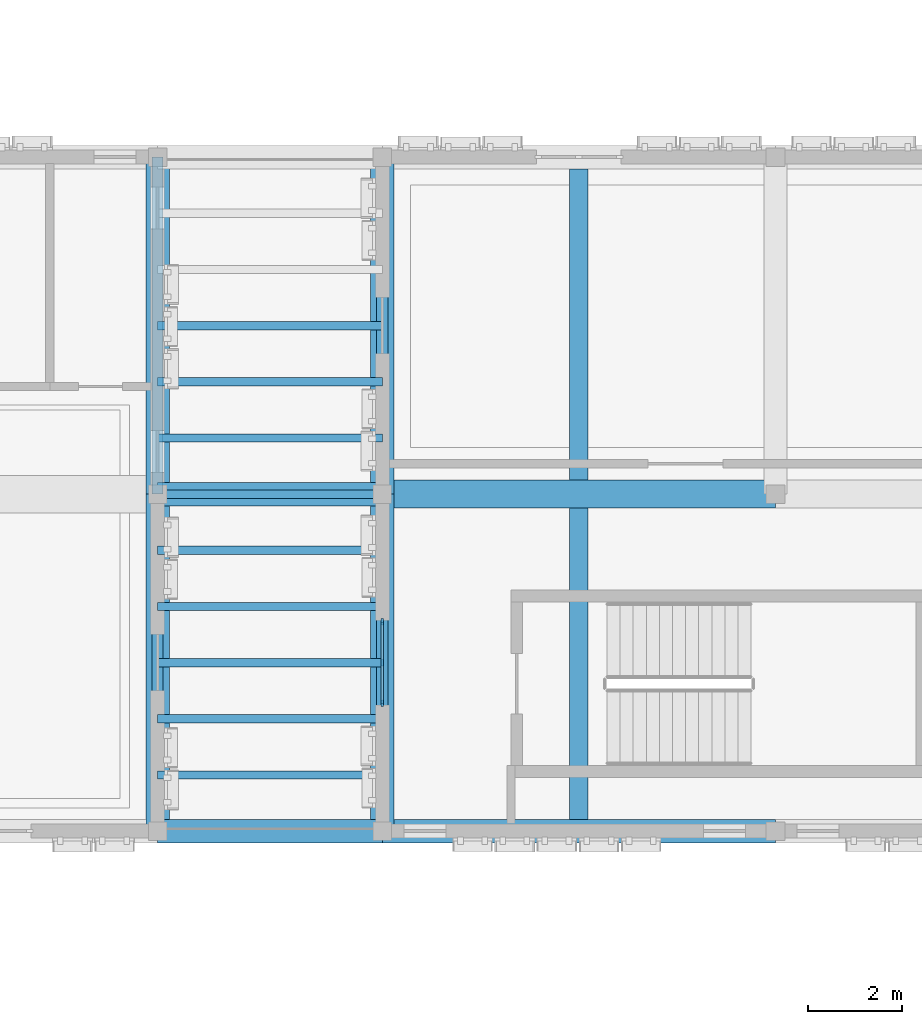
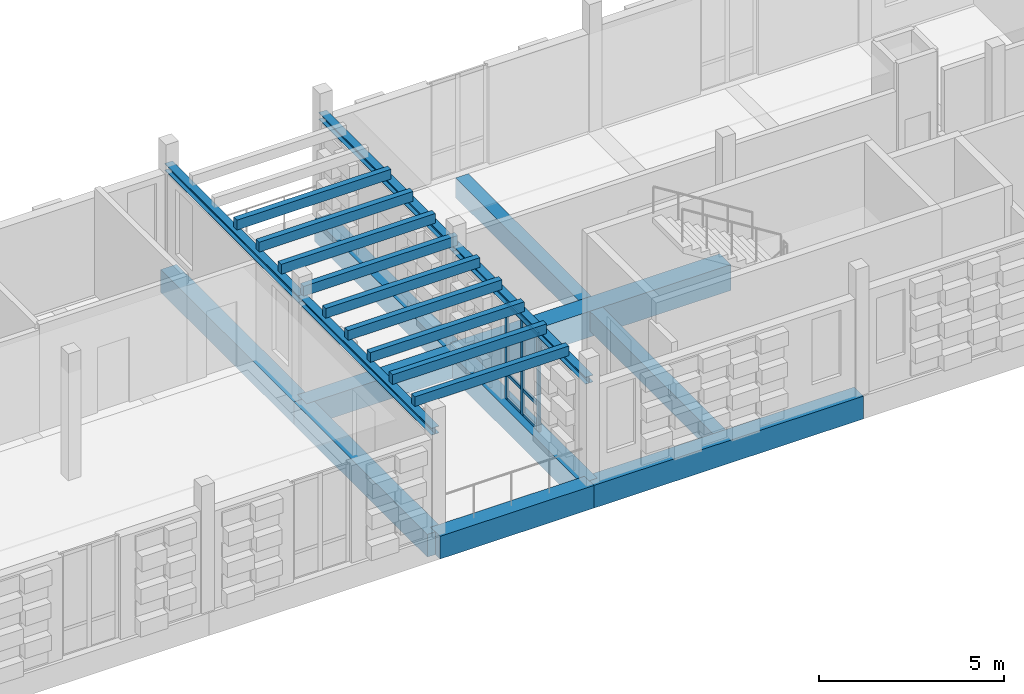
# One storey, part 22 of 99: 15 members, 14 beams, 1 element without a shape of its own.
"""IFC4 building model written with IfcOpenShell, lengths in metres."""

from ifc_helpers import new_model, si_unit, direction, frame, origin, origin_2d, place, context, subcontext, project, spatial, rectangle, i_section, extrude, material, material_profile, profile_set, type_object, element, aggregate, save


model = new_model("IFC4")

# Units and contexts
model_context = context("Model", 3, precision=1e-05, world=origin(), true_north=direction((0.0, 1.0)))
body_context = subcontext(model_context, "Body", "Model", "MODEL_VIEW")
ifc_project = project(units=[si_unit("LENGTHUNIT", "METRE"), si_unit("AREAUNIT", "SQUARE_METRE"), si_unit("VOLUMEUNIT", "CUBIC_METRE"), si_unit("PLANEANGLEUNIT", "RADIAN"), si_unit("MASSUNIT", "GRAM", prefix="KILO")], contexts=[model_context])

# Site, building, storey
site_placement = place(None, origin())
site = spatial("IfcSite", under=ifc_project, at=site_placement, CompositionType="ELEMENT")
building_placement = place(site_placement, origin())
building = spatial("IfcBuilding", under=site, at=building_placement, Name="Kahlenmark Community Centre", CompositionType="ELEMENT")
storey_placement = place(building_placement, frame((0.0, 0.0, 5.39990234375)))
storey = spatial("IfcBuildingStorey", under=building, at=storey_placement, Name="L01", CompositionType="ELEMENT", Elevation=5.39990234375)

# Beams
ifc_material_1 = material(Name="Concrete C35/45", Category="concrete")
ifc_material_profile_1 = material_profile(ifc_material_1, rectangle(XDim=0.60009765625, YDim=0.85009765625, at=origin_2d()), Name="RC 600x850")
ifc_profile_set_1 = profile_set([ifc_material_profile_1], Name="Concrete C35/45")
beam_type_1 = type_object("IfcBeamType", Name="BT-BEAM-RC600x850", PredefinedType="BEAM", material=ifc_profile_set_1)
beam_1_placement = place(storey_placement, frame((91.60009765625, 16.0, -0.4248046875), z_axis=(1.0, 0.0, 0.0), x_axis=(0.0, 1.0, 0.0)))
element("IfcBeam", 1, at=beam_1_placement, inside=storey, type_object=beam_type_1, Name="L01 beam BG-RC600x850", PredefinedType="BEAM", context=body_context, shape_type="SweptSolid", body=[
    extrude(rectangle(XDim=0.60009765625, YDim=0.85009765625, at=origin_2d()), origin(), (0.0, 0.0, 1.0), 8.39990234375),
])
ifc_material_profile_2 = material_profile(ifc_material_1, rectangle(XDim=0.39990234375, YDim=0.64990234375, at=origin_2d()), Name="RC 400x650")
ifc_profile_set_2 = profile_set([ifc_material_profile_2], Name="Concrete C35/45")
beam_type_2 = type_object("IfcBeamType", Name="BT-JOIST-RC400x650", PredefinedType="JOIST", material=ifc_profile_set_2)
for number, where, z_axis, x_axis, name in (
    (2, (95.800048828125, 9.048095703125, -0.324951171875), (0.0, 1.0, 0.0), (-1.0, 0.0, 0.0), "L01 joist BJ-RC400x650"),
    (3, (95.800048828125, 16.298095703125, -0.324951171875), (0.0, 1.0, 0.0), (-1.0, 0.0, 0.0), "L01 joist BJ-RC400x650"),
):
    element("IfcBeam", number, at=place(storey_placement, frame(where, z_axis=z_axis, x_axis=x_axis)), inside=storey, type_object=beam_type_2, Name=name, PredefinedType="JOIST", context=body_context, shape_type="SweptSolid", body=[
        extrude(rectangle(XDim=0.39990234375, YDim=0.64990234375, at=origin_2d()), origin(), (0.0, 0.0, 1.0), 6.65380859375),
    ])
ifc_material_2 = material(Name="Steel S355", Category="steel")
ifc_material_profile_3 = material_profile(ifc_material_2, i_section(OverallWidth=0.239990234375, OverallDepth=0.22998046875, WebThickness=0.007568359375, FlangeThickness=0.011962890625, at=origin_2d()), Name="HEA 240")
ifc_profile_set_3 = profile_set([ifc_material_profile_3], Name="Steel S355")
beam_type_3 = type_object("IfcBeamType", Name="BT-SPANDREL-HEA240", PredefinedType="SPANDREL", material=ifc_profile_set_3)
for number, where, z_axis, x_axis, name in (
    (4, (86.800048828125, 8.800048828125, 3.335205078125), (0.0, 1.0, 0.0), (-1.0, 0.0, 0.0), "L01 spandrel SP-PRG240"),
    (5, (91.60009765625, 8.800048828125, 3.335205078125), (0.0, 1.0, 0.0), (-1.0, 0.0, 0.0), "L01 spandrel SP-PRG240"),
    (6, (86.800048828125, 16.0, 3.335205078125), (0.0, 1.0, 0.0), (-1.0, 0.0, 0.0), "L01 spandrel SP-PRG240"),
    (7, (91.60009765625, 16.0, 3.335205078125), (0.0, 1.0, 0.0), (-1.0, 0.0, 0.0), "L01 spandrel SP-PRG240"),
):
    element("IfcBeam", number, at=place(storey_placement, frame(where, z_axis=z_axis, x_axis=x_axis)), inside=storey, type_object=beam_type_3, Name=name, PredefinedType="SPANDREL", context=body_context, shape_type="SweptSolid", body=[
        extrude(i_section(OverallWidth=0.239990234375, OverallDepth=0.22998046875, WebThickness=0.007568359375, FlangeThickness=0.011962890625, at=origin_2d()), origin(), (0.0, 0.0, 1.0), 7.199951171875),
    ])
ifc_material_profile_4 = material_profile(ifc_material_1, rectangle(XDim=0.5, YDim=0.75, at=origin_2d()), Name="RC 500x750")
ifc_profile_set_4 = profile_set([ifc_material_profile_4], Name="Concrete C35/45")
beam_type_4 = type_object("IfcBeamType", Name="BT-SPANDREL-RC500x750", PredefinedType="SPANDREL", material=ifc_profile_set_4)
for number, where, z_axis, x_axis, name in (
    (8, (86.800048828125, 8.800048828125, -0.375), (0.0, 1.0, 0.0), (-1.0, 0.0, 0.0), "L01 spandrel SP-RC500x750"),
    (9, (86.800048828125, 16.0, -0.375), (0.0, 1.0, 0.0), (-1.0, 0.0, 0.0), "L01 spandrel SP-RC500x750"),
):
    element("IfcBeam", number, at=place(storey_placement, frame(where, z_axis=z_axis, x_axis=x_axis)), inside=storey, type_object=beam_type_4, Name=name, PredefinedType="SPANDREL", context=body_context, shape_type="SweptSolid", body=[
        extrude(rectangle(XDim=0.5, YDim=0.75, at=origin_2d()), origin(), (0.0, 0.0, 1.0), 7.199951171875),
    ])
beam_2_placement = place(storey_placement, frame((91.60009765625, 8.800048828125, -0.375), z_axis=(1.0, 0.0, 0.0), x_axis=(0.0, 1.0, 0.0)))
element("IfcBeam", 10, at=beam_2_placement, inside=storey, type_object=beam_type_4, Name="L01 spandrel SP-RC500x750", PredefinedType="SPANDREL", context=body_context, shape_type="SweptSolid", body=[
    extrude(rectangle(XDim=0.5, YDim=0.75, at=origin_2d()), origin(), (0.0, 0.0, 1.0), 8.39990234375),
])
for number, where, z_axis, x_axis, name in (
    (11, (91.60009765625, 8.800048828125, -0.375), (0.0, 1.0, 0.0), (-1.0, 0.0, 0.0), "L01 spandrel SP-RC500x750"),
    (12, (91.60009765625, 16.0, -0.375), (0.0, 1.0, 0.0), (-1.0, 0.0, 0.0), "L01 spandrel SP-RC500x750"),
):
    element("IfcBeam", number, at=place(storey_placement, frame(where, z_axis=z_axis, x_axis=x_axis)), inside=storey, type_object=beam_type_4, Name=name, PredefinedType="SPANDREL", context=body_context, shape_type="SweptSolid", body=[
        extrude(rectangle(XDim=0.5, YDim=0.75, at=origin_2d()), origin(), (0.0, 0.0, 1.0), 7.199951171875),
    ])
for number, where, z_axis, x_axis, name in (
    (13, (86.800048828125, 8.800048828125, -0.375), (1.0, 0.0, 0.0), (0.0, 1.0, 0.0), "L01 spandrel SP-RC500x750"),
    (14, (86.800048828125, 16.0, -0.375), (1.0, 0.0, 0.0), (0.0, 1.0, 0.0), "L01 spandrel SP-RC500x750"),
):
    element("IfcBeam", number, at=place(storey_placement, frame(where, z_axis=z_axis, x_axis=x_axis)), inside=storey, type_object=beam_type_4, Name=name, PredefinedType="SPANDREL", context=body_context, shape_type="SweptSolid", body=[
        extrude(rectangle(XDim=0.5, YDim=0.75, at=origin_2d()), origin(), (0.0, 0.0, 1.0), 4.800048828125),
    ])

# Curtain wall, members
ifc_material_3 = material(Name="Anodised aluminium unitised curtain wall", Category="aluminium")
curtain_wall_type = type_object("IfcCurtainWallType", Name="CWT-UNIT-180X321", PredefinedType="USERDEFINED", material=ifc_material_3)
curtain_wall_placement = place(storey_placement, origin())
curtain_wall = element("IfcCurtainWall", 15, at=curtain_wall_placement, inside=storey, type_object=curtain_wall_type, Name="Unitised curtain wall CW-049", ObjectType="UNITISED CURTAIN WALL", PredefinedType="USERDEFINED")
ifc_material_4 = material(Name="Anodised aluminium 6063-T6", Category="aluminium")
ifc_material_profile_5 = material_profile(ifc_material_4, rectangle(XDim=0.06005859375, YDim=0.139892578125, at=origin_2d()), Name="ALU MULLION 60x140")
ifc_profile_set_5 = profile_set([ifc_material_profile_5], Name="Anodised aluminium 6063-T6")
member_type_1 = type_object("IfcMemberType", Name="MT-MUL-140", PredefinedType="MULLION", material=ifc_profile_set_5)
member_1_placement = place(storey_placement, frame((91.60009765625, 13.27001953125, 0.0), z_axis=(0.0, 0.0, 1.0), x_axis=(1.0, 0.0, 0.0)))
member_1 = element("IfcMember", 16, at=member_1_placement, type_object=member_type_1, Name="CW-049 mullion 1", PredefinedType="MULLION", context=body_context, shape_type="SweptSolid", body=[
    extrude(rectangle(XDim=0.06005859375, YDim=0.139892578125, at=origin_2d()), origin(), (0.0, 0.0, 1.0), 3.210205078125),
])
member_2_placement = place(storey_placement, frame((91.60009765625, 12.39990234375, 0.0), z_axis=(0.0, 0.0, 1.0), x_axis=(1.0, 0.0, 0.0)))
member_2 = element("IfcMember", 17, at=member_2_placement, type_object=member_type_1, Name="CW-049 mullion 2", PredefinedType="MULLION", context=body_context, shape_type="SweptSolid", body=[
    extrude(rectangle(XDim=0.06005859375, YDim=0.139892578125, at=origin_2d()), origin(), (0.0, 0.0, 1.0), 3.210205078125),
])
member_3_placement = place(storey_placement, frame((91.60009765625, 11.530029296875, 0.0), z_axis=(0.0, 0.0, 1.0), x_axis=(1.0, 0.0, 0.0)))
member_3 = element("IfcMember", 18, at=member_3_placement, type_object=member_type_1, Name="CW-049 mullion 3", PredefinedType="MULLION", context=body_context, shape_type="SweptSolid", body=[
    extrude(rectangle(XDim=0.06005859375, YDim=0.139892578125, at=origin_2d()), origin(), (0.0, 0.0, 1.0), 3.210205078125),
])

# Members
ifc_material_5 = material(Name="Glulam GL28h", Category="wood")
ifc_material_profile_6 = material_profile(ifc_material_5, rectangle(XDim=0.179931640625, YDim=0.320068359375, at=origin_2d()), Name="GL28h 180x320")
ifc_profile_set_6 = profile_set([ifc_material_profile_6], Name="Glulam GL28h")
member_type_2 = type_object("IfcMemberType", Name="MT-RAFTER-GL28h180x320", PredefinedType="RAFTER", material=ifc_profile_set_6)
for number, where, z_axis, x_axis, name in (
    (19, (86.800048828125, 10.0, 3.610107421875), (1.0, 0.0, 0.0), (0.0, 1.0, 0.0), "L01 rafter PRG-RAF"),
    (20, (86.800048828125, 11.199951171875, 3.610107421875), (1.0, 0.0, 0.0), (0.0, 1.0, 0.0), "L01 rafter PRG-RAF"),
    (21, (86.800048828125, 12.39990234375, 3.610107421875), (1.0, 0.0, 0.0), (0.0, 1.0, 0.0), "L01 rafter PRG-RAF"),
    (22, (86.800048828125, 13.60009765625, 3.610107421875), (1.0, 0.0, 0.0), (0.0, 1.0, 0.0), "L01 rafter PRG-RAF"),
    (23, (86.800048828125, 14.800048828125, 3.610107421875), (1.0, 0.0, 0.0), (0.0, 1.0, 0.0), "L01 rafter PRG-RAF"),
    (24, (86.800048828125, 16.0, 3.610107421875), (1.0, 0.0, 0.0), (0.0, 1.0, 0.0), "L01 rafter PRG-RAF"),
    (25, (86.800048828125, 17.199951171875, 3.610107421875), (1.0, 0.0, 0.0), (0.0, 1.0, 0.0), "L01 rafter PRG-RAF"),
    (26, (86.800048828125, 18.39990234375, 3.610107421875), (1.0, 0.0, 0.0), (0.0, 1.0, 0.0), "L01 rafter PRG-RAF"),
    (27, (86.800048828125, 19.60009765625, 3.610107421875), (1.0, 0.0, 0.0), (0.0, 1.0, 0.0), "L01 rafter PRG-RAF"),
):
    element("IfcMember", number, at=place(storey_placement, frame(where, z_axis=z_axis, x_axis=x_axis)), inside=storey, type_object=member_type_2, Name=name, PredefinedType="RAFTER", context=body_context, shape_type="SweptSolid", body=[
        extrude(rectangle(XDim=0.179931640625, YDim=0.320068359375, at=origin_2d()), origin(), (0.0, 0.0, 1.0), 4.800048828125),
    ])

# Member
ifc_material_profile_7 = material_profile(ifc_material_4, rectangle(XDim=0.06005859375, YDim=0.1201171875, at=origin_2d()), Name="ALU TRANSOM 60x120")
ifc_profile_set_7 = profile_set([ifc_material_profile_7], Name="Anodised aluminium 6063-T6")
member_type_3 = type_object("IfcMemberType", Name="MT-TRN-120", PredefinedType="USERDEFINED", material=ifc_profile_set_7)
member_4_placement = place(storey_placement, frame((91.60009765625, 13.27001953125, 0.0400390625), z_axis=(0.0, -1.0, 0.0), x_axis=(1.0, 0.0, 0.0)))
member_4 = element("IfcMember", 28, at=member_4_placement, type_object=member_type_3, Name="CW-049 transom 1", ObjectType="TRANSOM", PredefinedType="USERDEFINED", context=body_context, shape_type="SweptSolid", body=[
    extrude(rectangle(XDim=0.06005859375, YDim=0.1201171875, at=origin_2d()), origin(), (0.0, 0.0, 1.0), 1.739990234375),
])

member_5_placement = place(storey_placement, frame((91.60009765625, 13.27001953125, 0.85009765625), z_axis=(0.0, -1.0, 0.0), x_axis=(1.0, 0.0, 0.0)))
member_5 = element("IfcMember", 29, at=member_5_placement, type_object=member_type_3, Name="CW-049 transom 2", ObjectType="TRANSOM", PredefinedType="USERDEFINED", context=body_context, shape_type="SweptSolid", body=[
    extrude(rectangle(XDim=0.06005859375, YDim=0.1201171875, at=origin_2d()), origin(), (0.0, 0.0, 1.0), 1.739990234375),
])

member_6_placement = place(storey_placement, frame((91.60009765625, 13.27001953125, 3.170166015625), z_axis=(0.0, -1.0, 0.0), x_axis=(1.0, 0.0, 0.0)))
member_6 = element("IfcMember", 30, at=member_6_placement, type_object=member_type_3, Name="CW-049 transom 3", ObjectType="TRANSOM", PredefinedType="USERDEFINED", context=body_context, shape_type="SweptSolid", body=[
    extrude(rectangle(XDim=0.06005859375, YDim=0.1201171875, at=origin_2d()), origin(), (0.0, 0.0, 1.0), 1.739990234375),
])

aggregate(curtain_wall, [member_1, member_2, member_3, member_4, member_5, member_6])

save(model, "model.ifc")
